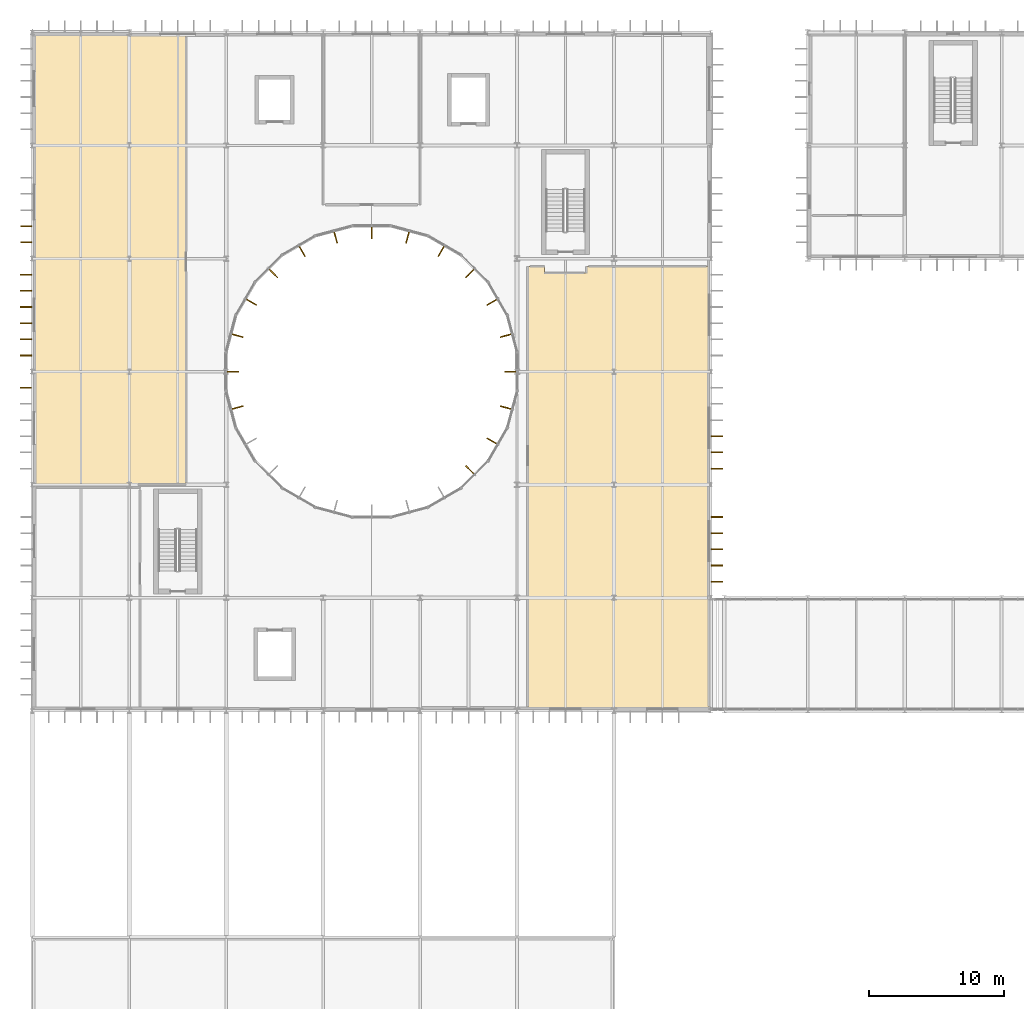
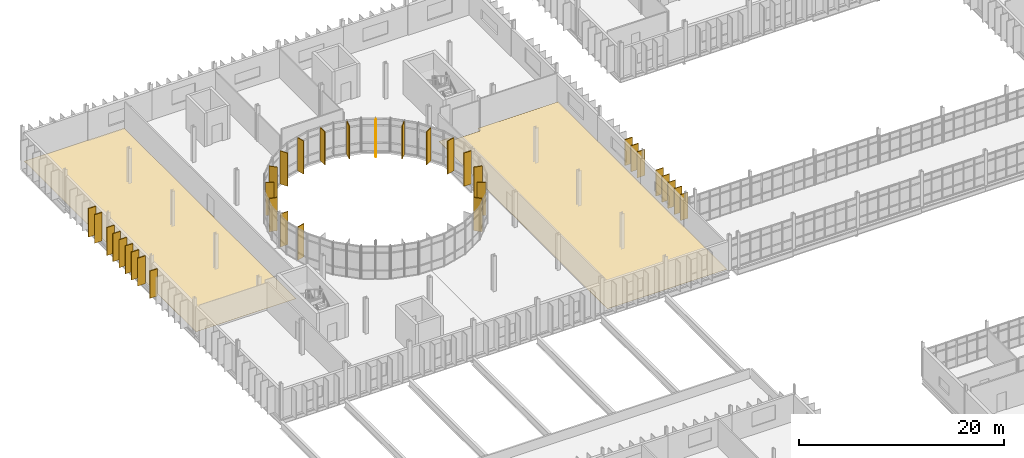
# One storey, part 110 of 119: 34 shading devices, 2 coverings.
"""IFC4 building model written with IfcOpenShell, lengths in metres."""

from ifc_helpers import new_model, si_unit, direction, frame, origin, origin_2d, place, context, subcontext, project, spatial, polyline, rectangle, outline, extrude, material, layer, layer_set, type_object, element, save


model = new_model("IFC4")

# Units and contexts
model_context = context("Model", 3, precision=1e-05, world=origin(), true_north=direction((0.0, 1.0)))
body_context = subcontext(model_context, "Body", "Model", "MODEL_VIEW")
ifc_project = project(units=[si_unit("LENGTHUNIT", "METRE"), si_unit("AREAUNIT", "SQUARE_METRE"), si_unit("VOLUMEUNIT", "CUBIC_METRE"), si_unit("PLANEANGLEUNIT", "RADIAN"), si_unit("MASSUNIT", "GRAM", prefix="KILO")], contexts=[model_context])

# Site, building, storey
site_placement = place(None, origin())
site = spatial("IfcSite", under=ifc_project, at=site_placement, CompositionType="ELEMENT")
building_placement = place(site_placement, origin())
building = spatial("IfcBuilding", under=site, at=building_placement, Name="Qelthora Terrace Specialist Clinic", CompositionType="ELEMENT")
storey_placement = place(building_placement, frame((0.0, 0.0, 4.800048828125)))
storey = spatial("IfcBuildingStorey", under=building, at=storey_placement, Name="L01", CompositionType="ELEMENT", Elevation=4.800048828125)

# Coverings
ifc_material_1 = material(Name="Antimicrobial clinical linoleum flooring", Category="other")
ifc_layer = layer(ifc_material_1, 0.011962890625)
ifc_layer_set = layer_set([ifc_layer], Name="Antimicrobial clinical linoleum flooring")
covering_type = type_object("IfcCoveringType", Name="COV-FLR-LINO-12", PredefinedType="FLOORING", material=ifc_layer_set)
covering_1_placement = place(storey_placement, origin())
element("IfcCovering", 1, at=covering_1_placement, inside=storey, type_object=covering_type, Name="Endoscopy Procedure Suites L01-51 resilient linoleum flooring", PredefinedType="FLOORING", context=body_context, shape_type="SweptSolid", body=[
    extrude(outline(polyline([(11.39990234375, 75.60009765625), (0.14990234375, 75.60009765625), (0.14990234375, 109.070068359375), (11.39990234375, 109.070068359375), (11.39990234375, 75.60009765625)])), origin(), (0.0, 0.0, 1.0), 0.011962890625),
])
covering_2_placement = place(storey_placement, origin())
element("IfcCovering", 2, at=covering_2_placement, inside=storey, type_object=covering_type, Name="Day Procedure Operating Suites L01-52 resilient linoleum flooring", PredefinedType="FLOORING", context=body_context, shape_type="SweptSolid", body=[
    extrude(outline(polyline([(41.159912109375, 91.31494140625), (41.159912109375, 91.800048828125), (50.25, 91.800048828125), (50.25, 58.949951171875), (36.800048828125, 58.949951171875), (36.800048828125, 91.800048828125), (38.0400390625, 91.800048828125), (38.0400390625, 91.31494140625), (41.159912109375, 91.31494140625)])), origin(), (0.0, 0.0, 1.0), 0.011962890625),
])

# Shading devices
ifc_material_2 = material(Name="Glulam timber GL28h", Category="wood")
shading_device_type = type_object("IfcShadingDeviceType", Name="SHD-FIN-850", PredefinedType="USERDEFINED", material=ifc_material_2)
for number, where, z_axis, x_axis, name in (
    (3, (35.1611328125, 86.669189453125, 0.0), (0.0, 0.0, 1.0), (-0.965925826289, -0.258819045103, 0.0), "Court solar fin FIN-0105"),
    (4, (34.130859375, 89.15625, 0.0), (0.0, 0.0, 1.0), (-0.866025403784, -0.5, 0.0), "Court solar fin FIN-0106"),
    (5, (32.4921875, 91.292236328125, 0.0), (0.0, 0.0, 1.0), (-0.707106781187, -0.707106781187, 0.0), "Court solar fin FIN-0107"),
    (6, (30.356201171875, 92.930908203125, 0.0), (0.0, 0.0, 1.0), (-0.5, -0.866025403784, 0.0), "Court solar fin FIN-0108"),
    (7, (27.869140625, 93.961181640625, 0.0), (0.0, 0.0, 1.0), (-0.258819045103, -0.965925826289, 0.0), "Court solar fin FIN-0109"),
    (8, (25.199951171875, 94.3125, 0.0), (0.0, 0.0, 1.0), (0.0, -1.0, 0.0), "Court solar fin FIN-0110"),
    (9, (22.531005859375, 93.961181640625, 0.0), (0.0, 0.0, 1.0), (0.258819045103, -0.965925826289, 0.0), "Court solar fin FIN-0111"),
    (10, (20.043701171875, 92.930908203125, 0.0), (0.0, 0.0, 1.0), (0.5, -0.866025403784, 0.0), "Court solar fin FIN-0112"),
    (11, (17.907958984375, 91.292236328125, 0.0), (0.0, 0.0, 1.0), (0.707106781187, -0.707106781187, 0.0), "Court solar fin FIN-0113"),
    (12, (16.26904296875, 89.15625, 0.0), (0.0, 0.0, 1.0), (0.866025403784, -0.5, 0.0), "Court solar fin FIN-0114"),
    (13, (15.23876953125, 86.669189453125, 0.0), (0.0, 0.0, 1.0), (0.965925826289, -0.258819045103, 0.0), "Court solar fin FIN-0115"),
    (14, (14.887451171875, 84.0, 0.0), (0.0, 0.0, 1.0), (1.0, 0.0, 0.0), "Court solar fin FIN-0116"),
    (15, (15.23876953125, 81.330810546875, 0.0), (0.0, 0.0, 1.0), (0.965925826289, 0.258819045103, 0.0), "Court solar fin FIN-0117"),
    (16, (32.4921875, 76.707763671875, 0.0), (0.0, 0.0, 1.0), (-0.707106781187, 0.707106781187, 0.0), "Court solar fin FIN-0125"),
    (17, (34.130859375, 78.84375, 0.0), (0.0, 0.0, 1.0), (-0.866025403784, 0.5, 0.0), "Court solar fin FIN-0126"),
    (18, (35.1611328125, 81.330810546875, 0.0), (0.0, 0.0, 1.0), (-0.965925826289, 0.258819045103, 0.0), "Court solar fin FIN-0127"),
    (19, (35.5126953125, 84.0, 0.0), (0.0, 0.0, 1.0), (-1.0, 0.0, 0.0), "Court solar fin FIN-0128"),
):
    element("IfcShadingDevice", number, at=place(storey_placement, frame(where, z_axis=z_axis, x_axis=x_axis)), inside=storey, type_object=shading_device_type, Name=name, ObjectType="FIN", PredefinedType="USERDEFINED", context=body_context, shape_type="SweptSolid", body=[
        extrude(rectangle(XDim=0.85009765625, YDim=0.080078125, at=origin_2d()), origin(), (0.0, 0.0, 1.0), 3.945068359375),
    ])
shading_device_placement = place(storey_placement, frame((-0.4951171875, 82.800048828125, 0.0), z_axis=(0.0, 0.0, 1.0), x_axis=(-1.0, 0.0, 0.0)))
element("IfcShadingDevice", 20, at=shading_device_placement, inside=storey, type_object=shading_device_type, Name="Exterior solar shading fin FIN-0685", ObjectType="FIN", PredefinedType="USERDEFINED", context=body_context, shape_type="SweptSolid", body=[
    extrude(rectangle(XDim=0.85009765625, YDim=0.080078125, at=origin_2d()), origin(), (0.0, 0.0, 1.0), 3.2490234375),
])
for number, where, z_axis, x_axis, name in (
    (21, (-0.465087890625, 85.199951171875, 0.0), (0.0, 0.0, 1.0), (-1.0, 0.0, 0.0), "Exterior solar shading fin FIN-0686"),
    (22, (-0.465087890625, 86.39990234375, 0.0), (0.0, 0.0, 1.0), (-1.0, 0.0, 0.0), "Exterior solar shading fin FIN-0687"),
    (23, (-0.465087890625, 87.60009765625, 0.0), (0.0, 0.0, 1.0), (-1.0, 0.0, 0.0), "Exterior solar shading fin FIN-0688"),
    (24, (-0.465087890625, 88.800048828125, 0.0), (0.0, 0.0, 1.0), (-1.0, 0.0, 0.0), "Exterior solar shading fin FIN-0689"),
    (25, (-0.465087890625, 90.0, 0.0), (0.0, 0.0, 1.0), (-1.0, 0.0, 0.0), "Exterior solar shading fin FIN-0690"),
    (26, (-0.465087890625, 91.199951171875, 0.0), (0.0, 0.0, 1.0), (-1.0, 0.0, 0.0), "Exterior solar shading fin FIN-0691"),
):
    element("IfcShadingDevice", number, at=place(storey_placement, frame(where, z_axis=z_axis, x_axis=x_axis)), inside=storey, type_object=shading_device_type, Name=name, ObjectType="FIN", PredefinedType="USERDEFINED", context=body_context, shape_type="SweptSolid", body=[
        extrude(rectangle(XDim=0.85009765625, YDim=0.080078125, at=origin_2d()), origin(), (0.0, 0.0, 1.0), 3.324951171875),
    ])
for number, where, z_axis, x_axis, name in (
    (27, (-0.455078125, 93.60009765625, 0.0), (0.0, 0.0, 1.0), (-1.0, 0.0, 0.0), "Exterior solar shading fin FIN-0692"),
    (28, (-0.455078125, 94.800048828125, 0.0), (0.0, 0.0, 1.0), (-1.0, 0.0, 0.0), "Exterior solar shading fin FIN-0693"),
):
    element("IfcShadingDevice", number, at=place(storey_placement, frame(where, z_axis=z_axis, x_axis=x_axis)), inside=storey, type_object=shading_device_type, Name=name, ObjectType="FIN", PredefinedType="USERDEFINED", context=body_context, shape_type="SweptSolid", body=[
        extrude(rectangle(XDim=0.85009765625, YDim=0.080078125, at=origin_2d()), origin(), (0.0, 0.0, 1.0), 3.39794921875),
    ])
for number, where, z_axis, x_axis, name in (
    (29, (50.864990234375, 68.39990234375, 0.0), (0.0, 0.0, 1.0), (1.0, 0.0, 0.0), "Exterior solar shading fin FIN-0737"),
    (30, (50.864990234375, 69.60009765625, 0.0), (0.0, 0.0, 1.0), (1.0, 0.0, 0.0), "Exterior solar shading fin FIN-0738"),
    (31, (50.864990234375, 70.800048828125, 0.0), (0.0, 0.0, 1.0), (1.0, 0.0, 0.0), "Exterior solar shading fin FIN-0739"),
    (32, (50.864990234375, 72.0, 0.0), (0.0, 0.0, 1.0), (1.0, 0.0, 0.0), "Exterior solar shading fin FIN-0740"),
    (33, (50.864990234375, 73.199951171875, 0.0), (0.0, 0.0, 1.0), (1.0, 0.0, 0.0), "Exterior solar shading fin FIN-0741"),
    (34, (50.85498046875, 76.800048828125, 0.0), (0.0, 0.0, 1.0), (1.0, 0.0, 0.0), "Exterior solar shading fin FIN-0742"),
    (35, (50.85498046875, 78.0, 0.0), (0.0, 0.0, 1.0), (1.0, 0.0, 0.0), "Exterior solar shading fin FIN-0743"),
    (36, (50.85498046875, 79.199951171875, 0.0), (0.0, 0.0, 1.0), (1.0, 0.0, 0.0), "Exterior solar shading fin FIN-0744"),
):
    element("IfcShadingDevice", number, at=place(storey_placement, frame(where, z_axis=z_axis, x_axis=x_axis)), inside=storey, type_object=shading_device_type, Name=name, ObjectType="FIN", PredefinedType="USERDEFINED", context=body_context, shape_type="SweptSolid", body=[
        extrude(rectangle(XDim=0.85009765625, YDim=0.080078125, at=origin_2d()), origin(), (0.0, 0.0, 1.0), 3.091064453125),
    ])

save(model, "model.ifc")
